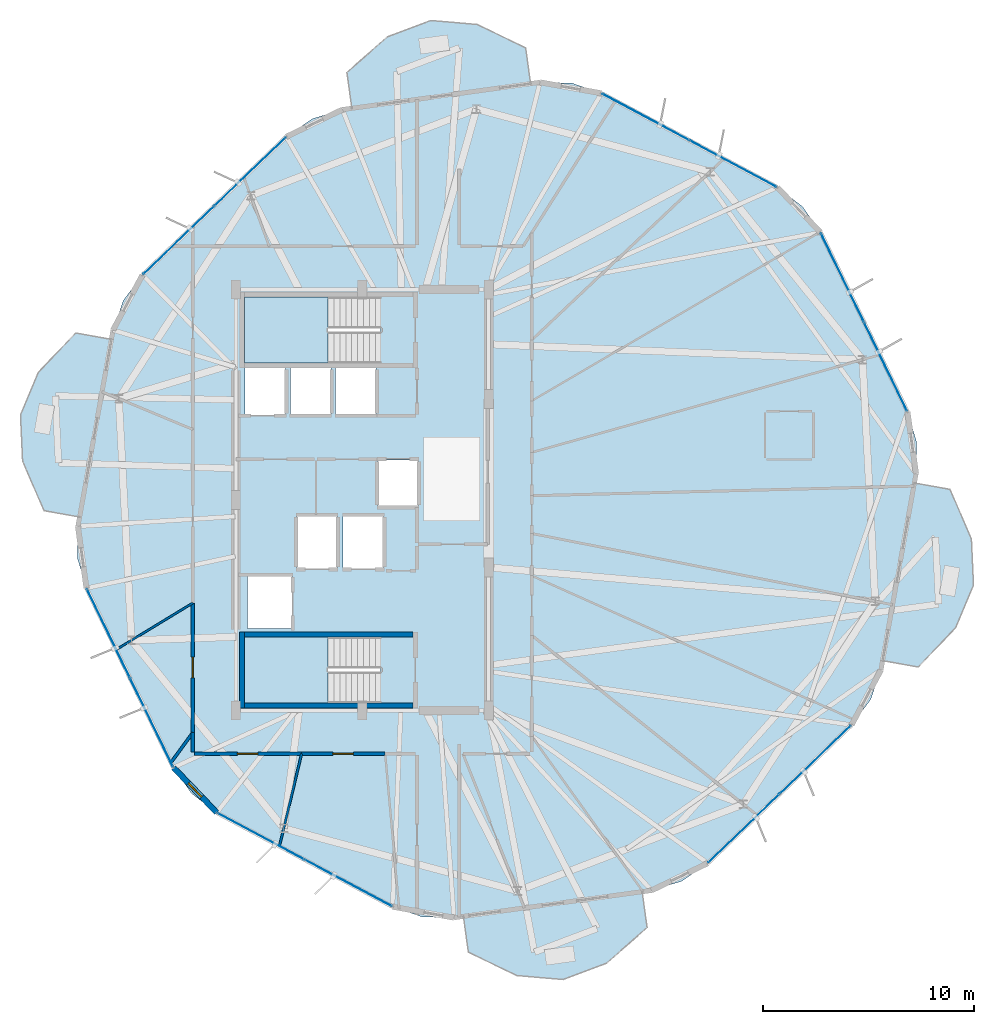
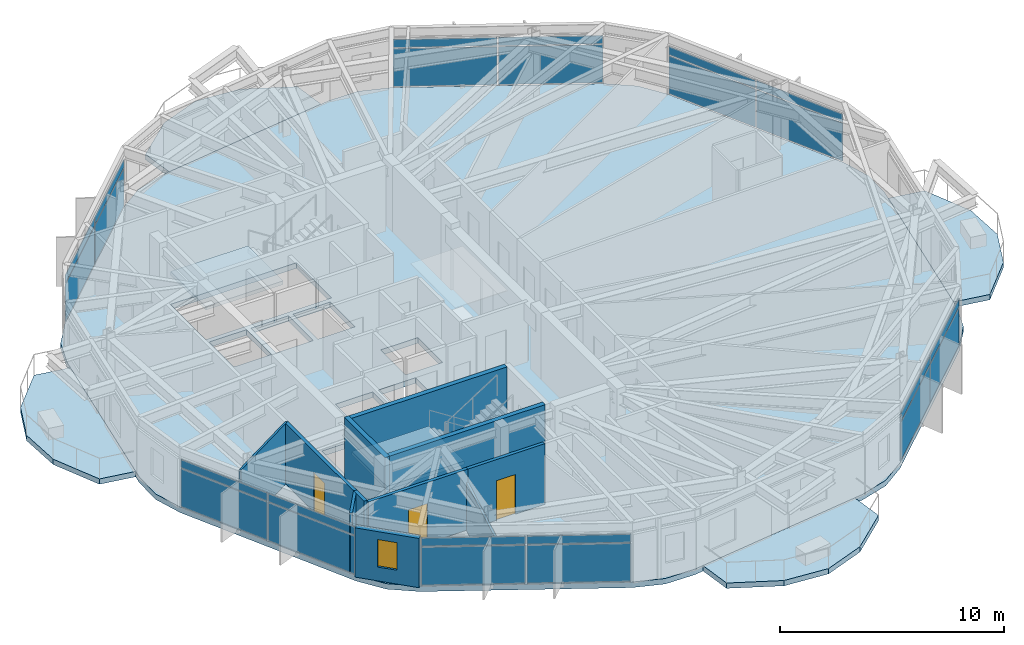
# One storey, part 19 of 26: 24 plates, 11 walls, 7 slabs, 3 doors, 1 window, 4 openings, 8 elements without a shape of their own.
"""IFC4 building model written with IfcOpenShell, lengths in metres."""

from ifc_helpers import new_model, si_unit, direction, frame, frame_2d, origin, origin_2d, place, context, subcontext, project, spatial, polyline, rectangle, outline, extrude, material, layer, layer_set, type_object, element, fill, aggregate, save


model = new_model("IFC4")

# Units and contexts
model_context = context("Model", 3, precision=1e-05, world=origin(), true_north=direction((0.0, 1.0)))
body_context = subcontext(model_context, "Body", "Model", "MODEL_VIEW")
ifc_project = project(units=[si_unit("LENGTHUNIT", "METRE"), si_unit("AREAUNIT", "SQUARE_METRE"), si_unit("VOLUMEUNIT", "CUBIC_METRE"), si_unit("PLANEANGLEUNIT", "RADIAN"), si_unit("MASSUNIT", "GRAM", prefix="KILO")], contexts=[model_context])

# Site, building, storey
site_placement = place(None, origin())
site = spatial("IfcSite", under=ifc_project, at=site_placement, CompositionType="ELEMENT")
building_placement = place(site_placement, origin())
building = spatial("IfcBuilding", under=site, at=building_placement, Name="Soratama Intermodal Tower", CompositionType="ELEMENT")
storey_placement = place(building_placement, frame((0.0, 0.0, 194.199951171875)))
storey = spatial("IfcBuildingStorey", under=building, at=storey_placement, Name="L48", CompositionType="ELEMENT", Elevation=194.199951171875)

# Curtain wall, plates
ifc_material_1 = material(Name="Double-glazed aluminium curtain wall", Category="aluminium")
ifc_layer_1 = layer(ifc_material_1, 0.159912109375)
ifc_layer_set_1 = layer_set([ifc_layer_1], Name="Double-glazed aluminium curtain wall")
curtain_wall_type = type_object("IfcCurtainWallType", Name="CW-SYS-5", PredefinedType="NOTDEFINED", material=ifc_layer_set_1)
curtain_wall_1_placement = place(storey_placement, origin())
curtain_wall_1 = element("IfcCurtainWall", 1, at=curtain_wall_1_placement, inside=storey, type_object=curtain_wall_type, Name="L48 Faceted Curtain Wall F01", PredefinedType="NOTDEFINED")
ifc_material_2 = material(Name="Low-E laminated double glazing", Category="glass")
ifc_layer_2 = layer(ifc_material_2, 0.02001953125)
ifc_layer_set_2 = layer_set([ifc_layer_2], Name="Low-E laminated double glazing")
plate_type = type_object("IfcPlateType", Name="PT-CWP-5", PredefinedType="CURTAIN_PANEL", material=ifc_layer_set_2)
plate_1_placement = place(storey_placement, frame((56.212158203125, 40.974853515625, 0.06005859375), z_axis=(0.0, 0.0, 1.0), x_axis=(-0.881799346964, 0.471624757296, 0.0)))
plate_1 = element("IfcPlate", 2, at=plate_1_placement, type_object=plate_type, Name="CW-5 panel 1.1", PredefinedType="CURTAIN_PANEL", context=body_context, shape_type="SweptSolid", body=[
    extrude(rectangle(XDim=4.6455078125, YDim=0.028076171875, at=origin_2d()), origin(), (0.0, 0.0, 1.0), 2.06005859375),
])
plate_2_placement = place(storey_placement, frame((56.212158203125, 40.974853515625, 2.18017578125), z_axis=(0.0, 0.0, 1.0), x_axis=(-0.881799346964, 0.471624757296, 0.0)))
plate_2 = element("IfcPlate", 3, at=plate_2_placement, type_object=plate_type, Name="CW-5 panel 1.2", PredefinedType="CURTAIN_PANEL", context=body_context, shape_type="SweptSolid", body=[
    extrude(rectangle(XDim=4.6455078125, YDim=0.028076171875, at=origin_2d()), origin(), (0.0, 0.0, 1.0), 0.43896484375),
])
plate_3_placement = place(storey_placement, frame((52.06298828125, 43.194091796875, 0.06005859375), z_axis=(0.0, 0.0, 1.0), x_axis=(-0.881799346964, 0.471624757296, 0.0)))
plate_3 = element("IfcPlate", 4, at=plate_3_placement, type_object=plate_type, Name="CW-5 panel 2.1", PredefinedType="CURTAIN_PANEL", context=body_context, shape_type="SweptSolid", body=[
    extrude(rectangle(XDim=4.6455078125, YDim=0.028076171875, at=origin_2d()), origin(), (0.0, 0.0, 1.0), 2.06005859375),
])
plate_4_placement = place(storey_placement, frame((52.06298828125, 43.194091796875, 2.18017578125), z_axis=(0.0, 0.0, 1.0), x_axis=(-0.881799346964, 0.471624757296, 0.0)))
plate_4 = element("IfcPlate", 5, at=plate_4_placement, type_object=plate_type, Name="CW-5 panel 2.2", PredefinedType="CURTAIN_PANEL", context=body_context, shape_type="SweptSolid", body=[
    extrude(rectangle(XDim=4.6455078125, YDim=0.028076171875, at=origin_2d()), origin(), (0.0, 0.0, 1.0), 0.43896484375),
])
aggregate(curtain_wall_1, [plate_1, plate_2, plate_3, plate_4])

curtain_wall_2_placement = place(storey_placement, origin())
curtain_wall_2 = element("IfcCurtainWall", 6, at=curtain_wall_2_placement, inside=storey, type_object=curtain_wall_type, Name="L48 Faceted Curtain Wall F03", PredefinedType="NOTDEFINED")
plate_5_placement = place(storey_placement, frame((33.271728515625, 40.60009765625, 0.06005859375), z_axis=(0.0, 0.0, 1.0), x_axis=(-0.721035719039, -0.69289789426, 0.0)))
plate_5 = element("IfcPlate", 7, at=plate_5_placement, type_object=plate_type, Name="CW-5 panel 1.1", PredefinedType="CURTAIN_PANEL", context=body_context, shape_type="SweptSolid", body=[
    extrude(rectangle(XDim=4.6455078125, YDim=0.028076171875, at=origin_2d()), origin(), (0.0, 0.0, 1.0), 2.06005859375),
])
plate_6_placement = place(storey_placement, frame((33.271728515625, 40.60009765625, 2.18017578125), z_axis=(0.0, 0.0, 1.0), x_axis=(-0.721035719039, -0.69289789426, 0.0)))
plate_6 = element("IfcPlate", 8, at=plate_6_placement, type_object=plate_type, Name="CW-5 panel 1.2", PredefinedType="CURTAIN_PANEL", context=body_context, shape_type="SweptSolid", body=[
    extrude(rectangle(XDim=4.6455078125, YDim=0.028076171875, at=origin_2d()), origin(), (0.0, 0.0, 1.0), 0.43896484375),
])
plate_7_placement = place(storey_placement, frame((29.87890625, 37.339599609375, 0.06005859375), z_axis=(0.0, 0.0, 1.0), x_axis=(-0.721035719039, -0.69289789426, 0.0)))
plate_7 = element("IfcPlate", 9, at=plate_7_placement, type_object=plate_type, Name="CW-5 panel 2.1", PredefinedType="CURTAIN_PANEL", context=body_context, shape_type="SweptSolid", body=[
    extrude(rectangle(XDim=4.6455078125, YDim=0.028076171875, at=origin_2d()), origin(), (0.0, 0.0, 1.0), 2.06005859375),
])
plate_8_placement = place(storey_placement, frame((29.87890625, 37.339599609375, 2.18017578125), z_axis=(0.0, 0.0, 1.0), x_axis=(-0.721035719039, -0.69289789426, 0.0)))
plate_8 = element("IfcPlate", 10, at=plate_8_placement, type_object=plate_type, Name="CW-5 panel 2.2", PredefinedType="CURTAIN_PANEL", context=body_context, shape_type="SweptSolid", body=[
    extrude(rectangle(XDim=4.6455078125, YDim=0.028076171875, at=origin_2d()), origin(), (0.0, 0.0, 1.0), 0.43896484375),
])
aggregate(curtain_wall_2, [plate_5, plate_6, plate_7, plate_8])

curtain_wall_3_placement = place(storey_placement, origin())
curtain_wall_3 = element("IfcCurtainWall", 11, at=curtain_wall_3_placement, inside=storey, type_object=curtain_wall_type, Name="L48 Faceted Curtain Wall F05", PredefinedType="NOTDEFINED")
plate_9_placement = place(storey_placement, frame((26.539306640625, 18.66650390625, 0.06005859375), z_axis=(0.0, 0.0, 1.0), x_axis=(0.436165219496, -0.899866601949, 0.0)))
plate_9 = element("IfcPlate", 12, at=plate_9_placement, type_object=plate_type, Name="CW-5 panel 1.1", PredefinedType="CURTAIN_PANEL", context=body_context, shape_type="SweptSolid", body=[
    extrude(rectangle(XDim=4.6455078125, YDim=0.028076171875, at=origin_2d()), origin(), (0.0, 0.0, 1.0), 2.06005859375),
])
plate_10_placement = place(storey_placement, frame((26.539306640625, 18.66650390625, 2.18017578125), z_axis=(0.0, 0.0, 1.0), x_axis=(0.436165219496, -0.899866601949, 0.0)))
plate_10 = element("IfcPlate", 13, at=plate_10_placement, type_object=plate_type, Name="CW-5 panel 1.2", PredefinedType="CURTAIN_PANEL", context=body_context, shape_type="SweptSolid", body=[
    extrude(rectangle(XDim=4.6455078125, YDim=0.028076171875, at=origin_2d()), origin(), (0.0, 0.0, 1.0), 0.43896484375),
])
plate_11_placement = place(storey_placement, frame((28.591796875, 14.43212890625, 0.06005859375), z_axis=(0.0, 0.0, 1.0), x_axis=(0.436165219496, -0.899866601949, 0.0)))
plate_11 = element("IfcPlate", 14, at=plate_11_placement, type_object=plate_type, Name="CW-5 panel 2.1", PredefinedType="CURTAIN_PANEL", context=body_context, shape_type="SweptSolid", body=[
    extrude(rectangle(XDim=4.6455078125, YDim=0.028076171875, at=origin_2d()), origin(), (0.0, 0.0, 1.0), 2.06005859375),
])
plate_12_placement = place(storey_placement, frame((28.591796875, 14.43212890625, 2.18017578125), z_axis=(0.0, 0.0, 1.0), x_axis=(0.436165219496, -0.899866601949, 0.0)))
plate_12 = element("IfcPlate", 15, at=plate_12_placement, type_object=plate_type, Name="CW-5 panel 2.2", PredefinedType="CURTAIN_PANEL", context=body_context, shape_type="SweptSolid", body=[
    extrude(rectangle(XDim=4.6455078125, YDim=0.028076171875, at=origin_2d()), origin(), (0.0, 0.0, 1.0), 0.43896484375),
])
aggregate(curtain_wall_3, [plate_9, plate_10, plate_11, plate_12])

curtain_wall_4_placement = place(storey_placement, origin())
curtain_wall_4 = element("IfcCurtainWall", 16, at=curtain_wall_4_placement, inside=storey, type_object=curtain_wall_type, Name="L48 Faceted Curtain Wall F06", PredefinedType="NOTDEFINED")
plate_13_placement = place(storey_placement, frame((33.787841796875, 9.025146484375, 0.06005859375), z_axis=(0.0, 0.0, 1.0), x_axis=(0.881799346964, -0.471624757296, 0.0)))
plate_13 = element("IfcPlate", 17, at=plate_13_placement, type_object=plate_type, Name="CW-5 panel 1.1", PredefinedType="CURTAIN_PANEL", context=body_context, shape_type="SweptSolid", body=[
    extrude(rectangle(XDim=4.6455078125, YDim=0.028076171875, at=origin_2d()), origin(), (0.0, 0.0, 1.0), 2.06005859375),
])
plate_14_placement = place(storey_placement, frame((33.787841796875, 9.025146484375, 2.18017578125), z_axis=(0.0, 0.0, 1.0), x_axis=(0.881799346964, -0.471624757296, 0.0)))
plate_14 = element("IfcPlate", 18, at=plate_14_placement, type_object=plate_type, Name="CW-5 panel 1.2", PredefinedType="CURTAIN_PANEL", context=body_context, shape_type="SweptSolid", body=[
    extrude(rectangle(XDim=4.6455078125, YDim=0.028076171875, at=origin_2d()), origin(), (0.0, 0.0, 1.0), 0.43896484375),
])
plate_15_placement = place(storey_placement, frame((37.93701171875, 6.805908203125, 0.06005859375), z_axis=(0.0, 0.0, 1.0), x_axis=(0.881799346964, -0.471624757296, 0.0)))
plate_15 = element("IfcPlate", 19, at=plate_15_placement, type_object=plate_type, Name="CW-5 panel 2.1", PredefinedType="CURTAIN_PANEL", context=body_context, shape_type="SweptSolid", body=[
    extrude(rectangle(XDim=4.6455078125, YDim=0.028076171875, at=origin_2d()), origin(), (0.0, 0.0, 1.0), 2.06005859375),
])
plate_16_placement = place(storey_placement, frame((37.93701171875, 6.805908203125, 2.18017578125), z_axis=(0.0, 0.0, 1.0), x_axis=(0.881799346964, -0.471624757296, 0.0)))
plate_16 = element("IfcPlate", 20, at=plate_16_placement, type_object=plate_type, Name="CW-5 panel 2.2", PredefinedType="CURTAIN_PANEL", context=body_context, shape_type="SweptSolid", body=[
    extrude(rectangle(XDim=4.6455078125, YDim=0.028076171875, at=origin_2d()), origin(), (0.0, 0.0, 1.0), 0.43896484375),
])
aggregate(curtain_wall_4, [plate_13, plate_14, plate_15, plate_16])

curtain_wall_5_placement = place(storey_placement, origin())
curtain_wall_5 = element("IfcCurtainWall", 21, at=curtain_wall_5_placement, inside=storey, type_object=curtain_wall_type, Name="L48 Faceted Curtain Wall F08", PredefinedType="NOTDEFINED")
plate_17_placement = place(storey_placement, frame((56.728271484375, 9.39990234375, 0.06005859375), z_axis=(0.0, 0.0, 1.0), x_axis=(0.721035719039, 0.69289789426, 0.0)))
plate_17 = element("IfcPlate", 22, at=plate_17_placement, type_object=plate_type, Name="CW-5 panel 1.1", PredefinedType="CURTAIN_PANEL", context=body_context, shape_type="SweptSolid", body=[
    extrude(rectangle(XDim=4.6455078125, YDim=0.028076171875, at=origin_2d()), origin(), (0.0, 0.0, 1.0), 2.06005859375),
])
plate_18_placement = place(storey_placement, frame((56.728271484375, 9.39990234375, 2.18017578125), z_axis=(0.0, 0.0, 1.0), x_axis=(0.721035719039, 0.69289789426, 0.0)))
plate_18 = element("IfcPlate", 23, at=plate_18_placement, type_object=plate_type, Name="CW-5 panel 1.2", PredefinedType="CURTAIN_PANEL", context=body_context, shape_type="SweptSolid", body=[
    extrude(rectangle(XDim=4.6455078125, YDim=0.028076171875, at=origin_2d()), origin(), (0.0, 0.0, 1.0), 0.43896484375),
])
plate_19_placement = place(storey_placement, frame((60.12109375, 12.660400390625, 0.06005859375), z_axis=(0.0, 0.0, 1.0), x_axis=(0.721035719039, 0.69289789426, 0.0)))
plate_19 = element("IfcPlate", 24, at=plate_19_placement, type_object=plate_type, Name="CW-5 panel 2.1", PredefinedType="CURTAIN_PANEL", context=body_context, shape_type="SweptSolid", body=[
    extrude(rectangle(XDim=4.6455078125, YDim=0.028076171875, at=origin_2d()), origin(), (0.0, 0.0, 1.0), 2.06005859375),
])
plate_20_placement = place(storey_placement, frame((60.12109375, 12.660400390625, 2.18017578125), z_axis=(0.0, 0.0, 1.0), x_axis=(0.721035719039, 0.69289789426, 0.0)))
plate_20 = element("IfcPlate", 25, at=plate_20_placement, type_object=plate_type, Name="CW-5 panel 2.2", PredefinedType="CURTAIN_PANEL", context=body_context, shape_type="SweptSolid", body=[
    extrude(rectangle(XDim=4.6455078125, YDim=0.028076171875, at=origin_2d()), origin(), (0.0, 0.0, 1.0), 0.43896484375),
])
aggregate(curtain_wall_5, [plate_17, plate_18, plate_19, plate_20])

curtain_wall_6_placement = place(storey_placement, origin())
curtain_wall_6 = element("IfcCurtainWall", 26, at=curtain_wall_6_placement, inside=storey, type_object=curtain_wall_type, Name="L48 Faceted Curtain Wall F10", PredefinedType="NOTDEFINED")
plate_21_placement = place(storey_placement, frame((63.460693359375, 31.33349609375, 0.06005859375), z_axis=(0.0, 0.0, 1.0), x_axis=(-0.436165219496, 0.899866601949, 0.0)))
plate_21 = element("IfcPlate", 27, at=plate_21_placement, type_object=plate_type, Name="CW-5 panel 1.1", PredefinedType="CURTAIN_PANEL", context=body_context, shape_type="SweptSolid", body=[
    extrude(rectangle(XDim=4.6455078125, YDim=0.028076171875, at=origin_2d()), origin(), (0.0, 0.0, 1.0), 2.06005859375),
])
plate_22_placement = place(storey_placement, frame((63.460693359375, 31.33349609375, 2.18017578125), z_axis=(0.0, 0.0, 1.0), x_axis=(-0.436165219496, 0.899866601949, 0.0)))
plate_22 = element("IfcPlate", 28, at=plate_22_placement, type_object=plate_type, Name="CW-5 panel 1.2", PredefinedType="CURTAIN_PANEL", context=body_context, shape_type="SweptSolid", body=[
    extrude(rectangle(XDim=4.6455078125, YDim=0.028076171875, at=origin_2d()), origin(), (0.0, 0.0, 1.0), 0.43896484375),
])
plate_23_placement = place(storey_placement, frame((61.408203125, 35.56787109375, 0.06005859375), z_axis=(0.0, 0.0, 1.0), x_axis=(-0.436165219496, 0.899866601949, 0.0)))
plate_23 = element("IfcPlate", 29, at=plate_23_placement, type_object=plate_type, Name="CW-5 panel 2.1", PredefinedType="CURTAIN_PANEL", context=body_context, shape_type="SweptSolid", body=[
    extrude(rectangle(XDim=4.6455078125, YDim=0.028076171875, at=origin_2d()), origin(), (0.0, 0.0, 1.0), 2.06005859375),
])
plate_24_placement = place(storey_placement, frame((61.408203125, 35.56787109375, 2.18017578125), z_axis=(0.0, 0.0, 1.0), x_axis=(-0.436165219496, 0.899866601949, 0.0)))
plate_24 = element("IfcPlate", 30, at=plate_24_placement, type_object=plate_type, Name="CW-5 panel 2.2", PredefinedType="CURTAIN_PANEL", context=body_context, shape_type="SweptSolid", body=[
    extrude(rectangle(XDim=4.6455078125, YDim=0.028076171875, at=origin_2d()), origin(), (0.0, 0.0, 1.0), 0.43896484375),
])
aggregate(curtain_wall_6, [plate_21, plate_22, plate_23, plate_24])

# Slabs
ifc_material_3 = material(Name="Concrete f'c 42 MPa", Category="concrete")
ifc_layer_3 = layer(ifc_material_3, 0.2900390625)
ifc_layer_set_3 = layer_set([ifc_layer_3], Name="Concrete f'c 42 MPa")
slab_type_1 = type_object("IfcSlabType", Name="SL-EXT-BAL2", PredefinedType="FLOOR", material=ifc_layer_set_3)
slab_1_placement = place(storey_placement, frame((0.0, 0.0, -0.2900390625)))
element("IfcSlab", 31, at=slab_1_placement, inside=storey, type_object=slab_type_1, Name="L48 Planted Balcony East 1", PredefinedType="FLOOR", context=body_context, shape_type="SweptSolid", body=[
    extrude(outline(polyline([(63.3173828125, 17.370361328125), (64.826416015625, 25.8076171875), (66.51953125, 25.5048828125), (67.535400390625, 23.146484375), (67.635498046875, 20.95166015625), (66.781005859375, 18.927734375), (65.0107421875, 17.067626953125), (63.3173828125, 17.370361328125)])), origin(), (0.0, 0.0, 1.0), 0.2900390625),
])
slab_2_placement = place(storey_placement, frame((0.0, 0.0, -0.2900390625)))
element("IfcSlab", 32, at=slab_2_placement, inside=storey, type_object=slab_type_1, Name="L48 Planted Balcony North 2", PredefinedType="FLOOR", context=body_context, shape_type="SweptSolid", body=[
    extrude(outline(polyline([(46.595703125, 44.77880859375), (38.105224609375, 43.6064453125), (37.8701171875, 45.310302734375), (39.799072265625, 47.00537109375), (41.85546875, 47.778564453125), (44.04443359375, 47.59130859375), (46.360595703125, 46.482421875), (46.595703125, 44.77880859375)])), origin(), (0.0, 0.0, 1.0), 0.2900390625),
])
slab_3_placement = place(storey_placement, frame((0.0, 0.0, -0.2900390625)))
element("IfcSlab", 33, at=slab_3_placement, inside=storey, type_object=slab_type_1, Name="L48 Planted Balcony West 3", PredefinedType="FLOOR", context=body_context, shape_type="SweptSolid", body=[
    extrude(outline(polyline([(26.6826171875, 32.629638671875), (25.173583984375, 24.1923828125), (23.48046875, 24.4951171875), (22.464599609375, 26.853515625), (22.364501953125, 29.04833984375), (23.218994140625, 31.072265625), (24.9892578125, 32.932373046875), (26.6826171875, 32.629638671875)])), origin(), (0.0, 0.0, 1.0), 0.2900390625),
])
slab_4_placement = place(storey_placement, frame((0.0, 0.0, -0.2900390625)))
element("IfcSlab", 34, at=slab_4_placement, inside=storey, type_object=slab_type_1, Name="L48 Planted Balcony South 4", PredefinedType="FLOOR", context=body_context, shape_type="SweptSolid", body=[
    extrude(outline(polyline([(43.404296875, 5.22119140625), (51.894775390625, 6.3935546875), (52.1298828125, 4.689697265625), (50.200927734375, 2.99462890625), (48.14453125, 2.221435546875), (45.95556640625, 2.40869140625), (43.639404296875, 3.517578125), (43.404296875, 5.22119140625)])), origin(), (0.0, 0.0, 1.0), 0.2900390625),
])

# Stair, slab
ifc_material_4 = material(Name="Concrete f'c 42 MPa", Category="concrete")
stair_type = type_object("IfcStairType", Name="ST-CORE-DOGLEG", PredefinedType="HALF_TURN_STAIR", material=ifc_material_4)
stair_1_placement = place(storey_placement, origin())
stair_1 = element("IfcStair", 35, at=stair_1_placement, inside=storey, type_object=stair_type, Name="L48 ST-1", PredefinedType="HALF_TURN_STAIR")
ifc_material_5 = material(Name="Concrete f'c 42 MPa", Category="concrete")
ifc_layer_4 = layer(ifc_material_5, 0.219970703125)
ifc_layer_set_4 = layer_set([ifc_layer_4], Name="Concrete f'c 42 MPa")
slab_type_2 = type_object("IfcSlabType", Name="SL-STAIR-LAND", PredefinedType="LANDING", material=ifc_layer_set_4)
slab_5_placement = place(storey_placement, frame((0.0, 0.0, 1.60009765625)))
slab_5 = element("IfcSlab", 36, at=slab_5_placement, type_object=slab_type_2, Name="ST-1 landing 1", PredefinedType="LANDING", context=body_context, shape_type="SweptSolid", body=[
    extrude(outline(polyline([(36.97998046875, 18.5), (33.0, 18.5), (33.0, 15.35009765625), (36.97998046875, 15.35009765625), (36.97998046875, 18.5)])), origin(), (0.0, 0.0, 1.0), 0.199951171875),
])
aggregate(stair_1, [slab_5])

stair_2_placement = place(storey_placement, origin())
stair_2 = element("IfcStair", 37, at=stair_2_placement, inside=storey, type_object=stair_type, Name="L48 ST-2", PredefinedType="HALF_TURN_STAIR")
slab_6_placement = place(storey_placement, frame((0.0, 0.0, 1.60009765625)))
slab_6 = element("IfcSlab", 38, at=slab_6_placement, type_object=slab_type_2, Name="ST-2 landing 1", PredefinedType="LANDING", context=body_context, shape_type="SweptSolid", body=[
    extrude(outline(polyline([(36.97998046875, 34.64990234375), (33.0, 34.64990234375), (33.0, 31.5), (36.97998046875, 31.5), (36.97998046875, 34.64990234375)])), origin(), (0.0, 0.0, 1.0), 0.199951171875),
])
aggregate(stair_2, [slab_6])

# Slab
ifc_material_6 = material(Name="Concrete f'c 42 MPa", Category="concrete")
ifc_layer_5 = layer(ifc_material_6, 0.280029296875)
ifc_layer_set_5 = layer_set([ifc_layer_5], Name="Concrete f'c 42 MPa")
slab_type_3 = type_object("IfcSlabType", Name="SL-TWR-280", PredefinedType="FLOOR", material=ifc_layer_set_5)
slab_7_placement = place(storey_placement, frame((0.0, 0.0, -0.300048828125)))
element("IfcSlab", 39, at=slab_7_placement, inside=storey, type_object=slab_type_3, Name="L48 Structural Floor Slab", PredefinedType="FLOOR", context=body_context, shape_type="SweptSolid", body=[
    extrude(outline(polyline([(60.368896484375, 37.712158203125), (59.510498046875, 38.9443359375), (58.3134765625, 39.85107421875), (49.9619140625, 44.31787109375), (48.54296875, 44.810302734375), (47.04150390625, 44.840087890625), (37.659423828125, 43.544921875), (36.22216796875, 43.109375), (34.989990234375, 42.251220703125), (28.160888671875, 35.6884765625), (27.254150390625, 34.491455078125), (26.76171875, 33.072509765625), (25.09423828125, 23.74951171875), (25.064453125, 22.247802734375), (25.5, 20.810791015625), (29.631103515625, 12.287841796875), (30.489501953125, 11.0556640625), (31.6865234375, 10.14892578125), (40.0380859375, 5.68212890625), (41.45703125, 5.189697265625), (42.95849609375, 5.159912109375), (52.340576171875, 6.455078125), (53.77783203125, 6.890625), (55.010009765625, 7.748779296875), (61.839111328125, 14.3115234375), (62.745849609375, 15.508544921875), (63.23828125, 16.927490234375), (64.90576171875, 26.25048828125), (64.935546875, 27.752197265625), (64.5, 29.189208984375), (60.368896484375, 37.712158203125)]), holes=[polyline([(33.0, 18.5), (33.0, 15.35009765625), (39.47509765625, 15.35009765625), (39.47509765625, 18.5), (33.0, 18.5)]), polyline([(35.260009765625, 21.409912109375), (33.139892578125, 21.409912109375), (33.139892578125, 18.889892578125), (35.260009765625, 18.889892578125), (35.260009765625, 21.409912109375)]), polyline([(37.409912109375, 24.260009765625), (35.489990234375, 24.260009765625), (35.489990234375, 21.739990234375), (37.409912109375, 21.739990234375), (37.409912109375, 24.260009765625)]), polyline([(39.610107421875, 24.260009765625), (37.68994140625, 24.260009765625), (37.68994140625, 21.739990234375), (39.610107421875, 21.739990234375), (39.610107421875, 24.260009765625)]), polyline([(41.260009765625, 26.909912109375), (39.340087890625, 26.909912109375), (39.340087890625, 24.68994140625), (41.260009765625, 24.68994140625), (41.260009765625, 26.909912109375)]), polyline([(34.9599609375, 31.260009765625), (33.0400390625, 31.260009765625), (33.0400390625, 29.0400390625), (34.9599609375, 29.0400390625), (34.9599609375, 31.260009765625)]), polyline([(37.110107421875, 31.260009765625), (35.18994140625, 31.260009765625), (35.18994140625, 29.0400390625), (37.110107421875, 29.0400390625), (37.110107421875, 31.260009765625)]), polyline([(39.260009765625, 29.0400390625), (39.260009765625, 31.260009765625), (37.340087890625, 31.260009765625), (37.340087890625, 29.0400390625), (39.260009765625, 29.0400390625)]), polyline([(39.47509765625, 34.64990234375), (33.0, 34.64990234375), (33.0, 31.5), (39.47509765625, 31.5), (39.47509765625, 34.64990234375)])]), origin(), (0.0, 0.0, 1.0), 0.300048828125),
])

# Wall, opening, window
ifc_material_7 = material(Name="Concrete f'c 42 MPa", Category="concrete")
ifc_layer_6 = layer(ifc_material_7, 0.27001953125)
ifc_layer_set_6 = layer_set([ifc_layer_6], Name="Concrete f'c 42 MPa")
wall_type_1 = type_object("IfcWallType", Name="EW-CRN-270", PredefinedType="SOLIDWALL", material=ifc_layer_set_6)
wall_1_placement = place(storey_placement, frame((29.631103515625, 12.287841796875, 0.0), z_axis=(0.0, 0.0, 1.0), x_axis=(0.692893222066, -0.721040208875, 0.0)))
wall_1 = element("IfcWall", 40, at=wall_1_placement, inside=storey, type_object=wall_type_1, Name="L48 Corner Closure Wall 05", PredefinedType="SOLIDWALL", context=body_context, shape_type="SweptSolid", body=[
    extrude(rectangle(XDim=2.966552734375, YDim=0.27001953125, at=frame_2d((1.4833984375, 0.0))), origin(), (0.0, 0.0, 1.0), 2.678955078125),
])
opening_1_placement = place(wall_1_placement, frame((1.033203125, 0.0, 0.75)))
opening_1 = element("IfcOpeningElement", 41, at=opening_1_placement, cuts=wall_1, Name="Opening WN-6", PredefinedType="OPENING", context=body_context, shape_type="SweptSolid", body=[
    extrude(rectangle(XDim=0.89990234375, YDim=1.5, at=frame_2d((0.449951171875, 0.75))), frame((0.0, 0.14501953125, 0.0), z_axis=(0.0, -1.0, 0.0), x_axis=(1.0, 0.0, 0.0)), (0.0, 0.0, 1.0), 0.2900390625),
])
ifc_material_8 = material(Name="Double-glazed aluminium window", Category="aluminium")
window_type = type_object("IfcWindowType", Name="WN-FAC-900", PartitioningType="SINGLE_PANEL", PredefinedType="WINDOW", material=ifc_material_8)
window_placement = place(opening_1_placement, origin())
window = element("IfcWindow", 42, at=window_placement, inside=storey, type_object=window_type, Name="L48 Corner Window 05", OverallHeight=1.5, OverallWidth=0.89990234375, PartitioningType="SINGLE_PANEL", PredefinedType="WINDOW", context=body_context, shape_type="SweptSolid", body=[
    extrude(rectangle(XDim=0.89990234375, YDim=1.5, at=frame_2d((0.449951171875, 0.75))), frame((0.0, 0.030029296875, 0.0), z_axis=(0.0, -1.0, 0.0), x_axis=(1.0, 0.0, 0.0)), (0.0, 0.0, 1.0), 0.06005859375),
])
fill(opening_1, window)

# Wall, opening, door
ifc_material_9 = material(Name="Fire-rated gypsum stud partition", Category="concrete")
ifc_layer_7 = layer(ifc_material_9, 0.169921875)
ifc_layer_set_7 = layer_set([ifc_layer_7], Name="Fire-rated gypsum stud partition")
wall_type_2 = type_object("IfcWallType", Name="IW-PART-R170", PredefinedType="PARTITIONING", material=ifc_layer_set_7)
wall_2_placement = place(storey_placement, frame((30.550048828125, 13.950927734375, 0.0), z_axis=(0.0, 0.0, 1.0), x_axis=(0.0, 1.0, 0.0)))
wall_2 = element("IfcWall", 43, at=wall_2_placement, inside=storey, type_object=wall_type_2, Name="L48 Partition W-L48-TP018", PredefinedType="PARTITIONING", context=body_context, shape_type="SweptSolid", body=[
    extrude(rectangle(XDim=6.155029296875, YDim=0.169921875, at=frame_2d((3.07763671875, 0.0))), origin(), (0.0, 0.0, 1.0), 3.300048828125),
])
opening_2_placement = place(wall_2_placement, frame((2.60302734375, 0.0, 0.0)))
opening_2 = element("IfcOpeningElement", 44, at=opening_2_placement, cuts=wall_2, Name="Opening ID-5", PredefinedType="OPENING", context=body_context, shape_type="SweptSolid", body=[
    extrude(rectangle(XDim=0.97998046875, YDim=2.14990234375, at=frame_2d((0.489990234375, 1.074951171875))), frame((0.0, 0.094970703125, 0.0), z_axis=(0.0, -1.0, 0.0), x_axis=(1.0, 0.0, 0.0)), (0.0, 0.0, 1.0), 0.18994140625),
])
ifc_material_10 = material(Name="Solid hardwood acoustic door", Category="wood")
door_type = type_object("IfcDoorType", Name="DR-OFF-980", OperationType="NOTDEFINED", PredefinedType="DOOR", material=ifc_material_10)
door_1_placement = place(opening_2_placement, origin())
door_1 = element("IfcDoor", 45, at=door_1_placement, inside=storey, type_object=door_type, Name="L48 Door D-L48-TP006", OperationType="SINGLE_SWING_LEFT", OverallHeight=2.14990234375, OverallWidth=0.97998046875, PredefinedType="DOOR", context=body_context, shape_type="SweptSolid", body=[
    extrude(rectangle(XDim=0.97998046875, YDim=2.14990234375, at=frame_2d((0.489990234375, 1.074951171875))), frame((0.0, 0.02490234375, 0.0), z_axis=(0.0, -1.0, 0.0), x_axis=(1.0, 0.0, 0.0)), (0.0, 0.0, 1.0), 0.050048828125),
])
fill(opening_2, door_1)

wall_3_placement = place(storey_placement, frame((35.718994140625, 12.949951171875, 0.0), z_axis=(0.0, 0.0, 1.0), x_axis=(-1.0, 0.0, 0.0)))
wall_3 = element("IfcWall", 46, at=wall_3_placement, inside=storey, type_object=wall_type_2, Name="L48 Partition W-L48-TP019", PredefinedType="PARTITIONING", context=body_context, shape_type="SweptSolid", body=[
    extrude(rectangle(XDim=5.098876953125, YDim=0.169921875, at=frame_2d((2.54931640625, 0.0))), origin(), (0.0, 0.0, 1.0), 3.300048828125),
])
opening_3_placement = place(wall_3_placement, frame((2.074951171875, 0.0, 0.0)))
opening_3 = element("IfcOpeningElement", 47, at=opening_3_placement, cuts=wall_3, Name="Opening ID-5", PredefinedType="OPENING", context=body_context, shape_type="SweptSolid", body=[
    extrude(rectangle(XDim=0.97998046875, YDim=2.14990234375, at=frame_2d((0.489990234375, 1.074951171875))), frame((0.0, 0.094970703125, 0.0), z_axis=(0.0, -1.0, 0.0), x_axis=(1.0, 0.0, 0.0)), (0.0, 0.0, 1.0), 0.18994140625),
])
door_2_placement = place(opening_3_placement, origin())
door_2 = element("IfcDoor", 48, at=door_2_placement, inside=storey, type_object=door_type, Name="L48 Door D-L48-TP007", OperationType="SINGLE_SWING_RIGHT", OverallHeight=2.14990234375, OverallWidth=0.97998046875, PredefinedType="DOOR", context=body_context, shape_type="SweptSolid", body=[
    extrude(rectangle(XDim=0.97998046875, YDim=2.14990234375, at=frame_2d((0.489990234375, 1.074951171875))), frame((0.0, 0.02490234375, 0.0), z_axis=(0.0, -1.0, 0.0), x_axis=(1.0, 0.0, 0.0)), (0.0, 0.0, 1.0), 0.050048828125),
])
fill(opening_3, door_2)

wall_4_placement = place(storey_placement, frame((39.68701171875, 12.949951171875, 0.0), z_axis=(0.0, 0.0, 1.0), x_axis=(-1.0, 0.0, 0.0)))
wall_4 = element("IfcWall", 49, at=wall_4_placement, inside=storey, type_object=wall_type_2, Name="L48 Partition W-L48-TP026", PredefinedType="PARTITIONING", context=body_context, shape_type="SweptSolid", body=[
    extrude(rectangle(XDim=3.968017578125, YDim=0.169921875, at=frame_2d((1.98388671875, 0.0))), origin(), (0.0, 0.0, 1.0), 3.300048828125),
])
opening_4_placement = place(wall_4_placement, frame((1.509033203125, 0.0, 0.0)))
opening_4 = element("IfcOpeningElement", 50, at=opening_4_placement, cuts=wall_4, Name="Opening ID-5", PredefinedType="OPENING", context=body_context, shape_type="SweptSolid", body=[
    extrude(rectangle(XDim=0.97998046875, YDim=2.14990234375, at=frame_2d((0.489990234375, 1.074951171875))), frame((0.0, 0.094970703125, 0.0), z_axis=(0.0, -1.0, 0.0), x_axis=(1.0, 0.0, 0.0)), (0.0, 0.0, 1.0), 0.18994140625),
])
door_3_placement = place(opening_4_placement, origin())
door_3 = element("IfcDoor", 51, at=door_3_placement, inside=storey, type_object=door_type, Name="L48 Door D-L48-TP010", OperationType="SINGLE_SWING_LEFT", OverallHeight=2.14990234375, OverallWidth=0.97998046875, PredefinedType="DOOR", context=body_context, shape_type="SweptSolid", body=[
    extrude(rectangle(XDim=0.97998046875, YDim=2.14990234375, at=frame_2d((0.489990234375, 1.074951171875))), frame((0.0, 0.02490234375, 0.0), z_axis=(0.0, -1.0, 0.0), x_axis=(1.0, 0.0, 0.0)), (0.0, 0.0, 1.0), 0.050048828125),
])
fill(opening_4, door_3)

# Walls
wall_5_placement = place(storey_placement, frame((30.550048828125, 13.02001953125, 0.0), z_axis=(0.0, 0.0, 1.0), x_axis=(0.0, 1.0, 0.0)))
element("IfcWall", 52, at=wall_5_placement, inside=storey, type_object=wall_type_2, Name="L48 Partition W-L48-TP051", PredefinedType="PARTITIONING", context=body_context, shape_type="SweptSolid", body=[
    extrude(rectangle(XDim=0.930908203125, YDim=0.169921875, at=frame_2d((0.46533203125, 0.0))), origin(), (0.0, 0.0, 1.0), 3.300048828125),
])
ifc_material_11 = material(Name="Fire-rated gypsum stud partition", Category="concrete")
ifc_layer_8 = layer(ifc_material_11, 0.10009765625)
ifc_layer_set_8 = layer_set([ifc_layer_8], Name="Fire-rated gypsum stud partition")
wall_type_3 = type_object("IfcWallType", Name="IW-PART-S100", PredefinedType="PARTITIONING", material=ifc_layer_set_8)
wall_6_placement = place(storey_placement, frame((30.550048828125, 20.10595703125, 0.0), z_axis=(0.0, 0.0, 1.0), x_axis=(-0.854497479433, -0.519455539621, 0.0)))
element("IfcWall", 53, at=wall_6_placement, inside=storey, type_object=wall_type_3, Name="L48 Partition W-L48-TP025", PredefinedType="PARTITIONING", context=body_context, shape_type="SweptSolid", body=[
    extrude(rectangle(XDim=4.25634765625, YDim=0.10009765625, at=frame_2d((2.128173828125, 0.0))), origin(), (0.0, 0.0, 1.0), 3.300048828125),
])
ifc_material_12 = material(Name="Fire-rated gypsum stud partition", Category="concrete")
ifc_layer_9 = layer(ifc_material_12, 0.110107421875)
ifc_layer_set_9 = layer_set([ifc_layer_9], Name="Fire-rated gypsum stud partition")
wall_type_4 = type_object("IfcWallType", Name="IW-PART-S110", PredefinedType="PARTITIONING", material=ifc_layer_set_9)
wall_7_placement = place(storey_placement, frame((35.718994140625, 12.949951171875, 0.0), z_axis=(0.0, 0.0, 1.0), x_axis=(-0.232786499533, -0.972527863681, 0.0)))
element("IfcWall", 54, at=wall_7_placement, inside=storey, type_object=wall_type_4, Name="L48 Partition W-L48-TP024", PredefinedType="PARTITIONING", context=body_context, shape_type="SweptSolid", body=[
    extrude(rectangle(XDim=4.519287109375, YDim=0.110107421875, at=frame_2d((2.259765625, 0.0))), origin(), (0.0, 0.0, 1.0), 2.594970703125),
])
ifc_material_13 = material(Name="Fire-rated gypsum stud partition", Category="concrete")
ifc_layer_10 = layer(ifc_material_13, 0.139892578125)
ifc_layer_set_10 = layer_set([ifc_layer_10], Name="Fire-rated gypsum stud partition")
wall_type_5 = type_object("IfcWallType", Name="IW-PART-S140", PredefinedType="PARTITIONING", material=ifc_layer_set_10)
wall_8_placement = place(storey_placement, frame((30.550048828125, 13.950927734375, 0.0), z_axis=(0.0, 0.0, 1.0), x_axis=(-0.588930535944, -0.808183657242, 0.0)))
element("IfcWall", 55, at=wall_8_placement, inside=storey, type_object=wall_type_5, Name="L48 Partition W-L48-TP046", PredefinedType="PARTITIONING", context=body_context, shape_type="SweptSolid", body=[
    extrude(rectangle(XDim=1.75927734375, YDim=0.139892578125, at=frame_2d((0.879638671875, 0.0))), origin(), (0.0, 0.0, 1.0), 3.300048828125),
])
ifc_material_14 = material(Name="Concrete f'c 56 MPa", Category="concrete")
ifc_layer_11 = layer(ifc_material_14, 0.239990234375)
ifc_layer_set_11 = layer_set([ifc_layer_11], Name="Concrete f'c 56 MPa")
wall_type_6 = type_object("IfcWallType", Name="SW-STAIR-240", PredefinedType="SHEAR", material=ifc_layer_set_11)
wall_9_placement = place(storey_placement, frame((32.8798828125, 15.110107421875, 0.0), z_axis=(0.0, 0.0, 1.0), x_axis=(0.0, 1.0, 0.0)))
element("IfcWall", 56, at=wall_9_placement, inside=storey, type_object=wall_type_6, Name="L48 ST-1 Shaft Shear Wall W", PredefinedType="SHEAR", context=body_context, shape_type="SweptSolid", body=[
    extrude(rectangle(XDim=3.6298828125, YDim=0.239990234375, at=frame_2d((1.81494140625, 0.0))), origin(), (0.0, 0.0, 1.0), 3.60009765625),
])
for number, where, z_axis, x_axis, name in (
    (57, (33.0, 15.22998046875, 0.0), (0.0, 0.0, 1.0), (1.0, 0.0, 0.0), "L48 ST-1 Shaft Shear Wall S"),
    (58, (33.0, 18.6201171875, 0.0), (0.0, 0.0, 1.0), (1.0, 0.0, 0.0), "L48 ST-1 Shaft Shear Wall N"),
):
    element("IfcWall", number, at=place(storey_placement, frame(where, z_axis=z_axis, x_axis=x_axis)), inside=storey, type_object=wall_type_6, Name=name, PredefinedType="SHEAR", context=body_context, shape_type="SweptSolid", body=[
        extrude(rectangle(XDim=8.0, YDim=0.239990234375, at=frame_2d((4.0, 0.0))), origin(), (0.0, 0.0, 1.0), 3.60009765625),
    ])

save(model, "model.ifc")
